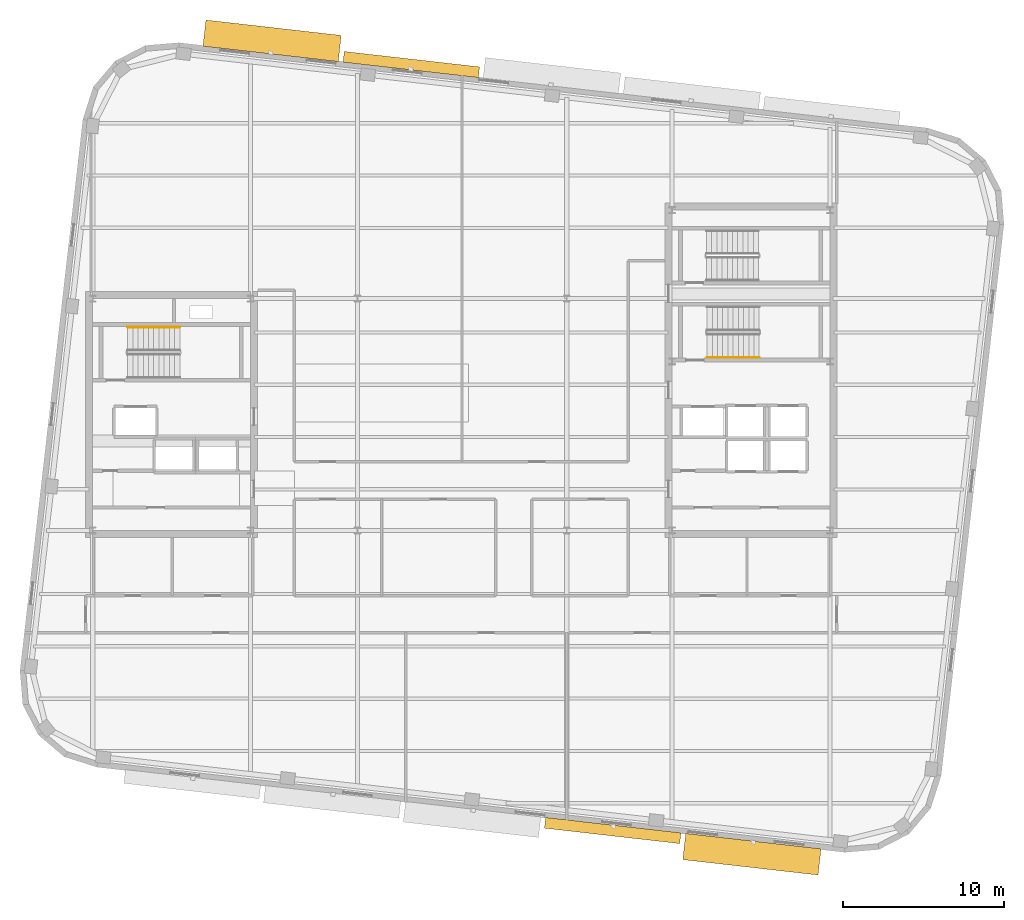
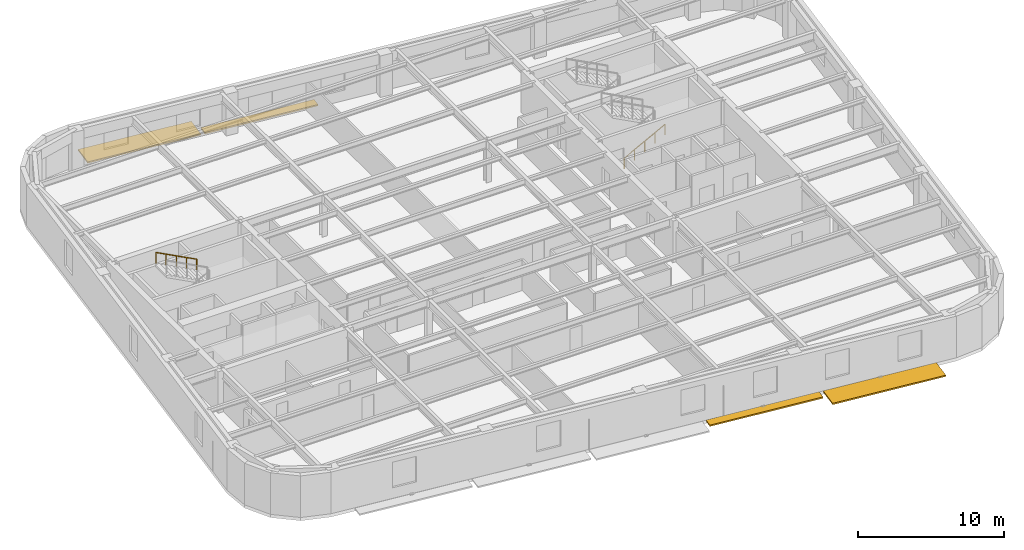
# One storey, part 12 of 13: 4 shading devices, 2 railings.
"""IFC4 building model written with IfcOpenShell, lengths in metres."""

import ifcopenshell
import ifcopenshell.guid

model = None  # the IFC model being written
_history = None  # IfcOwnerHistory: only IFC2X3 demands one
_inside = {}  # id of a spatial element -> (the spatial element, [elements in it])
_under = {}  # id of a project, library or spatial element -> (it, [spatial elements below it])
_declared = {}  # id of a project -> (the project, [libraries it declares])
_typed = {}  # id of a type object -> (the type object, [elements of that type])
_made_of = {}  # id of a material, layer set ... -> (it, [elements and type objects made of it])


def new_model(schema):
    """Start an empty IFC model of exactly this schema.

    Asked for "IFC4X3", IfcOpenShell would pick the latest addendum, in which some entities
    have other attributes; the version numbers below select the first issue.
    IFC2X3 requires an IfcOwnerHistory on every rooted entity: one is made here for all.
    """
    global model, _history
    if schema == "IFC4X3":
        model = ifcopenshell.file(schema_version=(4, 3, 0, 0))
    else:
        model = ifcopenshell.file(schema=schema)
    _inside.clear()
    _under.clear()
    _declared.clear()
    _typed.clear()
    _made_of.clear()
    _history = None
    if model.schema == "IFC2X3":
        org = make("IfcOrganization", Name="unknown")
        user = make(
            "IfcPersonAndOrganization",
            ThePerson=make("IfcPerson", FamilyName="unknown"),
            TheOrganization=org,
        )
        app = make(
            "IfcApplication",
            ApplicationDeveloper=org,
            Version="unknown",
            ApplicationFullName="unknown",
            ApplicationIdentifier="unknown",
        )
        _history = make(
            "IfcOwnerHistory",
            OwningUser=user,
            OwningApplication=app,
            ChangeAction="ADDED",
            CreationDate=0,
        )
    return model


def make(cls, **values):
    """One entity of the class cls with the attributes given. An attribute that is None is left unset."""
    return model.create_entity(
        cls, **{name: value for name, value in values.items() if value is not None}
    )


def rooted(cls, **values):
    """An entity with a GlobalId (a new one), such as an element, a storey or a relation."""
    return make(cls, GlobalId=ifcopenshell.guid.new(), OwnerHistory=_history, **values)


def si_unit(unit_type, name, prefix=None):
    """IfcSIUnit, for example si_unit("LENGTHUNIT", "METRE", prefix="MILLI")."""
    return make("IfcSIUnit", UnitType=unit_type, Prefix=prefix, Name=name)


def assignment(units):
    """IfcUnitAssignment: the units of a project."""
    return None if units is None else make("IfcUnitAssignment", Units=units)


def point(xyz):
    """IfcCartesianPoint."""
    return None if xyz is None else make("IfcCartesianPoint", Coordinates=xyz)


def direction(xyz):
    """IfcDirection."""
    return None if xyz is None else make("IfcDirection", DirectionRatios=xyz)


def frame(location, z_axis=None, x_axis=None):
    """IfcAxis2Placement3D, a coordinate frame: its origin and axes. An axis left out is left unset."""
    return make(
        "IfcAxis2Placement3D",
        Location=point(location),
        Axis=direction(z_axis),
        RefDirection=direction(x_axis),
    )


def frame_2d(location, x_axis=None):
    """IfcAxis2Placement2D, a coordinate frame in the plane: its origin and x axis."""
    return make(
        "IfcAxis2Placement2D", Location=point(location), RefDirection=direction(x_axis)
    )


def origin():
    """The frame at (0, 0, 0) with its axes left unset."""
    return frame((0.0, 0.0, 0.0))


def origin_2d():
    """The frame at (0, 0) in the plane with its x axis left unset."""
    return frame_2d((0.0, 0.0))


def place(relative_to, where):
    """IfcLocalPlacement: puts the frame where relative to a parent placement (None: the world)."""
    return make(
        "IfcLocalPlacement", PlacementRelTo=relative_to, RelativePlacement=where
    )


def context(
    kind, dimensions, precision=None, world=None, true_north=None, identifier=None
):
    """IfcGeometricRepresentationContext, for example the 3D "Model" context."""
    return make(
        "IfcGeometricRepresentationContext",
        ContextIdentifier=identifier,
        ContextType=kind,
        CoordinateSpaceDimension=dimensions,
        Precision=precision,
        WorldCoordinateSystem=world,
        TrueNorth=true_north,
    )


def subcontext(parent, identifier, kind, view, scale=None):
    """IfcGeometricRepresentationSubContext, for example "Body" below "Model"."""
    return make(
        "IfcGeometricRepresentationSubContext",
        ContextIdentifier=identifier,
        ContextType=kind,
        ParentContext=parent,
        TargetScale=scale,
        TargetView=view,
    )


def project(units=None, contexts=None):
    """IfcProject with its units and contexts."""
    return rooted(
        "IfcProject",
        Name="project",
        RepresentationContexts=contexts,
        UnitsInContext=assignment(units),
    )


def spatial(cls, under=None, at=None, **own):
    """A site, building, storey or space (cls), placed at a placement, below another one or the project."""
    s = rooted(cls, ObjectPlacement=at, **own)
    if under is not None:
        _under.setdefault(under.id(), (under, []))[1].append(s)
    return s


def profile(cls, at=None, kind="AREA", **sizes):
    """A parametric profile (cls). Its sizes go by their IFC names, for example OverallWidth=200.0."""
    return make(cls, ProfileType=kind, Position=at, **sizes)


def rectangle(**sizes):
    """IfcRectangleProfileDef."""
    return profile("IfcRectangleProfileDef", **sizes)


def circle(**sizes):
    """IfcCircleProfileDef."""
    return profile("IfcCircleProfileDef", **sizes)


def extrude(swept, where, along, depth):
    """IfcExtrudedAreaSolid: the profile swept, set in the frame where, extruded along a direction by depth."""
    return make(
        "IfcExtrudedAreaSolid",
        SweptArea=swept,
        Position=where,
        ExtrudedDirection=direction(along),
        Depth=depth,
    )


def shape(context_of_items, identifier, shape_type, items):
    """IfcShapeRepresentation: the items that make up one representation, for example the "Body"."""
    return make(
        "IfcShapeRepresentation",
        ContextOfItems=context_of_items,
        RepresentationIdentifier=identifier,
        RepresentationType=shape_type,
        Items=items,
    )


def material(Name=None, Category=None):
    """IfcMaterial."""
    return make("IfcMaterial", Name=Name, Category=Category)


def made_of(thing, what):
    """Note that an element or type object is made of a material, layer set ...; save() writes the relation."""
    if what is not None:
        _made_of.setdefault(what.id(), (what, []))[1].append(thing)
    return thing


def type_object(cls, material=None, **own):
    """A type object (cls), such as IfcWallType, which elements share."""
    return made_of(rooted(cls, **own), material)


def element(
    cls,
    number,
    at=None,
    inside=None,
    cuts=None,
    type_object=None,
    material=None,
    context=None,
    identifier="Body",
    shape_type=None,
    held_by="IfcProductDefinitionShape",
    body=None,
    shapes=None,
    **own,
):
    """One element of the class cls, such as IfcWall. Its Tag is "e" and its number.

    at: its placement. inside: the storey or other place that contains it. cuts: it is an
    opening in that element (IfcRelVoidsElement). A single representation is given by context,
    identifier, shape_type and body (its items); several are given by shapes. held_by: the class
    of the entity that holds the representations. save() writes the other relations.
    """
    e = rooted(cls, Tag="e%d" % number, ObjectPlacement=at, **own)
    if body is not None:
        shapes = [shape(context, identifier, shape_type, body)]
    if shapes is not None:
        e.Representation = make(held_by, Representations=shapes)
    if inside is not None:
        _inside.setdefault(inside.id(), (inside, []))[1].append(e)
    if cuts is not None:
        rooted(
            "IfcRelVoidsElement", RelatingBuildingElement=cuts, RelatedOpeningElement=e
        )
    if type_object is not None:
        _typed.setdefault(type_object.id(), (type_object, []))[1].append(e)
    return made_of(e, material)


def aggregate(whole, parts):
    """IfcRelAggregates: a whole, such as a stair, and the parts it consists of."""
    return rooted("IfcRelAggregates", RelatingObject=whole, RelatedObjects=parts)


def save(model, path):
    """Write the relations noted so far, then the file.

    IfcRelAggregates (storeys below a building ...), IfcRelContainedInSpatialStructure (elements
    in a storey), IfcRelDefinesByType, IfcRelAssociatesMaterial and IfcRelDeclares: one each for
    every whole, place, type object, material and project.
    """
    for whole, parts in _under.values():
        aggregate(whole, parts)
    for where, things in _inside.values():
        rooted(
            "IfcRelContainedInSpatialStructure",
            RelatedElements=things,
            RelatingStructure=where,
        )
    for kind, things in _typed.values():
        rooted("IfcRelDefinesByType", RelatedObjects=things, RelatingType=kind)
    for what, things in _made_of.values():
        rooted("IfcRelAssociatesMaterial", RelatedObjects=things, RelatingMaterial=what)
    for by, libraries in _declared.values():
        rooted("IfcRelDeclares", RelatingContext=by, RelatedDefinitions=libraries)
    model.write(path)


model = new_model("IFC4")

# Units and contexts
model_context = context("Model", 3, precision=1e-05, world=origin(), true_north=direction((0.0, 1.0)))
body_context = subcontext(model_context, "Body", "Model", "MODEL_VIEW")
ifc_project = project(units=[si_unit("LENGTHUNIT", "METRE"), si_unit("AREAUNIT", "SQUARE_METRE"), si_unit("VOLUMEUNIT", "CUBIC_METRE"), si_unit("PLANEANGLEUNIT", "RADIAN"), si_unit("MASSUNIT", "GRAM", prefix="KILO")], contexts=[model_context])

# Site, building, storey
site_placement = place(None, origin())
site = spatial("IfcSite", under=ifc_project, at=site_placement, CompositionType="ELEMENT")
building_placement = place(site_placement, origin())
building = spatial("IfcBuilding", under=site, at=building_placement, Name="Kolvaren Arena Tower", CompositionType="ELEMENT")
storey_placement = place(building_placement, frame((0.0, 0.0, 262.199951171875)))
storey = spatial("IfcBuildingStorey", under=building, at=storey_placement, Name="L64", CompositionType="ELEMENT", Elevation=262.199951171875)

# Railings
ifc_material_1 = material(Name="Brushed stainless steel handrail", Category="steel")
railing_type = type_object("IfcRailingType", Name="HRAIL-900", PredefinedType="HANDRAIL", material=ifc_material_1)
railing_1_placement = place(storey_placement, frame((19.9599609375, 32.080078125, 2.04541015625)))
element("IfcRailing", 1, at=railing_1_placement, inside=storey, type_object=railing_type, Name="L64 ST-W1 stair handrail 2", PredefinedType="HANDRAIL", context=body_context, shape_type="SweptSolid", body=[
    extrude(circle(Radius=0.02392578125, at=origin_2d()), frame((0.0, 0.0, 0.8759765625), z_axis=(-0.884993431791, 0.0, 0.465603506952), x_axis=(0.0, -1.0, 0.0)), (0.0, 0.0, 1.0), 3.6611328125),
    extrude(circle(Radius=0.02099609375, at=origin_2d()), origin(), (0.0, 0.0, 1.0), 0.851806640625),
    extrude(circle(Radius=0.02099609375, at=origin_2d()), frame((-0.81005859375, 0.0, 0.42626953125)), (0.0, 0.0, 1.0), 0.851806640625),
    extrude(circle(Radius=0.02099609375, at=origin_2d()), frame((-1.6201171875, 0.0, 0.852294921875)), (0.0, 0.0, 1.0), 0.851806640625),
    extrude(circle(Radius=0.02099609375, at=origin_2d()), frame((-2.429931640625, 0.0, 1.2783203125)), (0.0, 0.0, 1.0), 0.851806640625),
    extrude(circle(Radius=0.02099609375, at=origin_2d()), frame((-3.239990234375, 0.0, 1.70458984375)), (0.0, 0.0, 1.0), 0.851806640625),
])
railing_2_placement = place(storey_placement, frame((52.719970703125, 30.199951171875, 0.17041015625)))
element("IfcRailing", 2, at=railing_2_placement, inside=storey, type_object=railing_type, Name="L64 ST-E1 stair handrail 1", PredefinedType="HANDRAIL", context=body_context, shape_type="SweptSolid", body=[
    extrude(circle(Radius=0.02392578125, at=origin_2d()), frame((0.0, 0.0, 0.8759765625), z_axis=(0.884993431791, 0.0, 0.465603506952), x_axis=(0.0, 1.0, 0.0)), (0.0, 0.0, 1.0), 3.6611328125),
    extrude(circle(Radius=0.02099609375, at=origin_2d()), origin(), (0.0, 0.0, 1.0), 0.851806640625),
    extrude(circle(Radius=0.02099609375, at=origin_2d()), frame((0.81005859375, 0.0, 0.42626953125)), (0.0, 0.0, 1.0), 0.851806640625),
    extrude(circle(Radius=0.02099609375, at=origin_2d()), frame((1.6201171875, 0.0, 0.852294921875)), (0.0, 0.0, 1.0), 0.851806640625),
    extrude(circle(Radius=0.02099609375, at=origin_2d()), frame((2.429931640625, 0.0, 1.2783203125)), (0.0, 0.0, 1.0), 0.851806640625),
    extrude(circle(Radius=0.02099609375, at=origin_2d()), frame((3.239990234375, 0.0, 1.70458984375)), (0.0, 0.0, 1.0), 0.851806640625),
])

# Shading devices
ifc_material_2 = material(Name="Architectural precast GFRC and anodised aluminium sunshade", Category="concrete")
shading_device_type_1 = type_object("IfcShadingDeviceType", Name="SHAD-SINE-A", PredefinedType="USERDEFINED", material=ifc_material_2)
for number, where, z_axis, x_axis, name in (
    (3, (34.343505859375, 48.39599609375, -0.139892578125), (0.0, 0.0, 1.0), (0.993571658098, -0.113204947878, 0.0), "Sinusoidal Slab-Edge Sunshade Louvre (L64)"),
    (4, (46.8564453125, 0.803955078125, -0.139892578125), (0.0, 0.0, 1.0), (-0.993571658098, 0.113204947878, 0.0), "Sinusoidal Slab-Edge Sunshade Louvre (L64)"),
):
    element("IfcShadingDevice", number, at=place(storey_placement, frame(where, z_axis=z_axis, x_axis=x_axis)), inside=storey, type_object=shading_device_type_1, Name=name, ObjectType="LOUVRE", PredefinedType="USERDEFINED", context=body_context, shape_type="SweptSolid", body=[
        extrude(rectangle(XDim=8.4599609375, YDim=0.669921875, at=origin_2d()), origin(), (0.0, 0.0, 1.0), 0.1201171875),
    ])
shading_device_type_2 = type_object("IfcShadingDeviceType", Name="SHAD-SINE-B", PredefinedType="JALOUSIE", material=ifc_material_2)
for number, where, z_axis, x_axis, name in (
    (5, (25.69482421875, 49.869384765625, -0.139892578125), (0.0, 0.0, 1.0), (0.993571658098, -0.113204947878, 0.0), "Sinusoidal Slab-Edge Sunshade Louvre (L64)"),
    (6, (55.505126953125, -0.669189453125, -0.139892578125), (0.0, 0.0, 1.0), (-0.993571658098, 0.113204947878, 0.0), "Sinusoidal Slab-Edge Sunshade Louvre (L64)"),
):
    element("IfcShadingDevice", number, at=place(storey_placement, frame(where, z_axis=z_axis, x_axis=x_axis)), inside=storey, type_object=shading_device_type_2, Name=name, PredefinedType="JALOUSIE", context=body_context, shape_type="SweptSolid", body=[
        extrude(rectangle(XDim=8.4599609375, YDim=1.638916015625, at=origin_2d()), origin(), (0.0, 0.0, 1.0), 0.1201171875),
    ])

save(model, "model.ifc")
